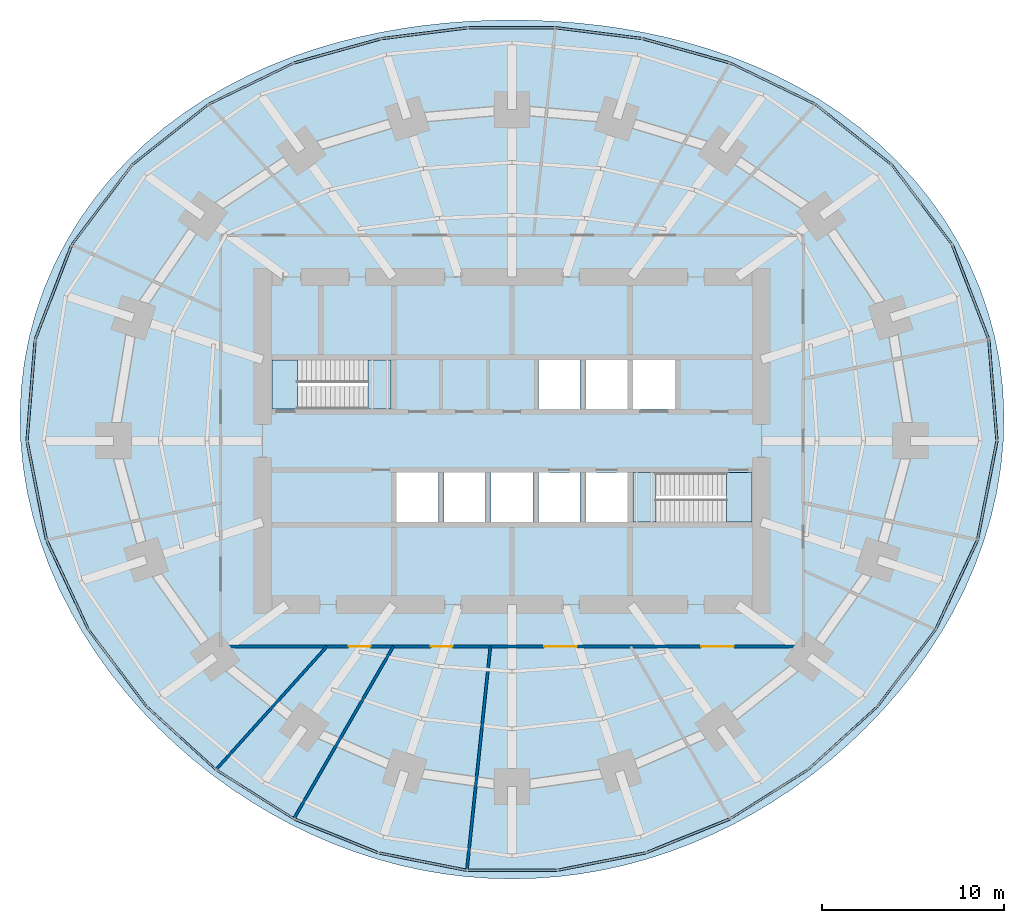
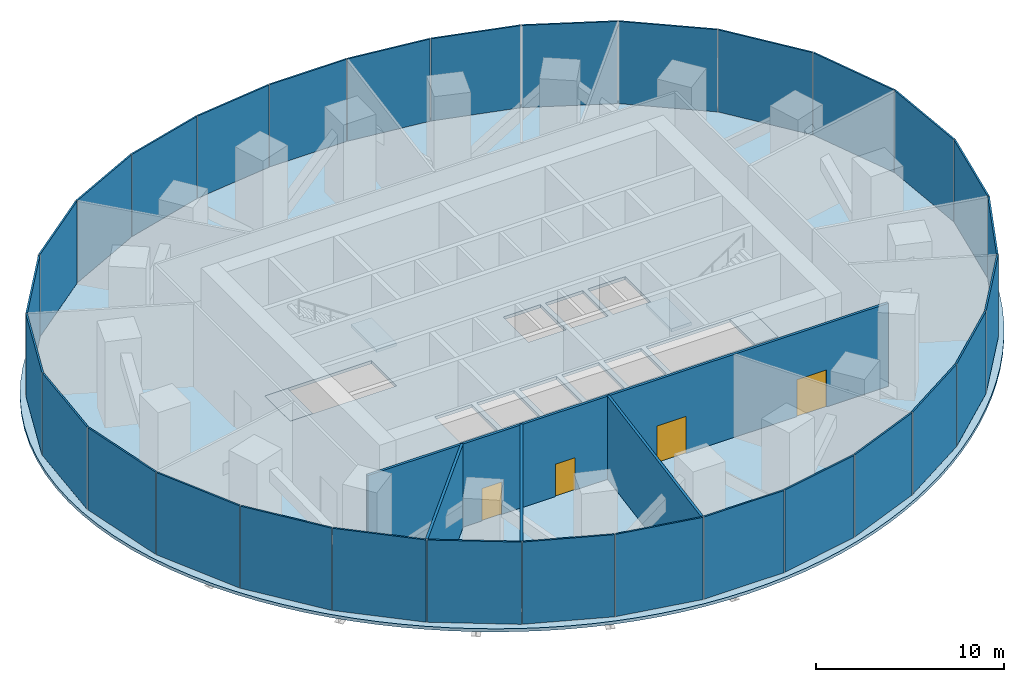
# One storey, part 10 of 13: 30 plates, 5 slabs, 4 doors, 4 walls, 4 openings, 8 elements without a shape of their own.
"""IFC4 building model written with IfcOpenShell, lengths in metres."""

from ifc_helpers import new_model, si_unit, direction, frame, frame_2d, origin, origin_2d, place, context, subcontext, project, spatial, polyline, rectangle, outline, extrude, material, layer, layer_set, type_object, element, fill, aggregate, save


model = new_model("IFC4")

# Units and contexts
model_context = context("Model", 3, precision=1e-05, world=origin(), true_north=direction((0.0, 1.0)))
body_context = subcontext(model_context, "Body", "Model", "MODEL_VIEW")
ifc_project = project(units=[si_unit("LENGTHUNIT", "METRE"), si_unit("AREAUNIT", "SQUARE_METRE"), si_unit("VOLUMEUNIT", "CUBIC_METRE"), si_unit("PLANEANGLEUNIT", "RADIAN"), si_unit("MASSUNIT", "GRAM", prefix="KILO")], contexts=[model_context])

# Site, building, storey
site_placement = place(None, origin())
site = spatial("IfcSite", under=ifc_project, at=site_placement, CompositionType="ELEMENT")
building_placement = place(site_placement, origin())
building = spatial("IfcBuilding", under=site, at=building_placement, Name="Marramba Exchange Tower", CompositionType="ELEMENT")
storey_placement = place(building_placement, frame((0.0, 0.0, 86.800048828125)))
storey = spatial("IfcBuildingStorey", under=building, at=storey_placement, Name="L20", CompositionType="ELEMENT", Elevation=86.800048828125)

# Slab
ifc_material_1 = material(Name="Concrete N40", Category="concrete")
ifc_layer_1 = layer(ifc_material_1, 0.199951171875)
ifc_layer_set_1 = layer_set([ifc_layer_1], Name="Floor slab 200")
slab_type_1 = type_object("IfcSlabType", Name="Floor slab 200", PredefinedType="FLOOR", material=ifc_layer_set_1)
slab_1_placement = place(storey_placement, frame((0.0, 0.0, -0.199951171875)))
element("IfcSlab", 1, at=slab_1_placement, inside=storey, type_object=slab_type_1, Name="Floor slab L20", PredefinedType="FLOOR", context=body_context, shape_type="SweptSolid", body=[
    extrude(outline(polyline([(27.0, 0.0), (27.035888671875, 1.4169921875), (26.97265625, 2.8349609375), (26.80859375, 4.24609375), (26.5439453125, 5.64208984375), (26.179443359375, 7.0146484375), (25.717529296875, 8.356201171875), (25.16162109375, 9.65869140625), (24.516357421875, 10.915283203125), (23.786865234375, 12.1201171875), (22.9794921875, 13.267333984375), (22.10107421875, 14.3525390625), (21.158447265625, 15.37255859375), (20.159423828125, 16.32470703125), (19.11083984375, 17.20751953125), (18.020263671875, 18.020263671875), (16.89453125, 18.763427734375), (15.740478515625, 19.437744140625), (14.563720703125, 20.04541015625), (13.3701171875, 20.588134765625), (12.164306640625, 21.069091796875), (10.9501953125, 21.4912109375), (9.7314453125, 21.857421875), (8.5107421875, 22.1708984375), (7.289794921875, 22.435302734375), (6.06982421875, 22.6533203125), (4.85205078125, 22.827392578125), (3.636474609375, 22.96044921875), (2.423095703125, 23.053955078125), (1.211181640625, 23.109619140625), (0.0, 23.1279296875), (-1.211181640625, 23.109619140625), (-2.423095703125, 23.053955078125), (-3.636474609375, 22.96044921875), (-4.85205078125, 22.827392578125), (-6.06982421875, 22.6533203125), (-7.289794921875, 22.435302734375), (-8.5107421875, 22.1708984375), (-9.7314453125, 21.857421875), (-10.9501953125, 21.4912109375), (-12.164306640625, 21.069091796875), (-13.3701171875, 20.588134765625), (-14.563720703125, 20.04541015625), (-15.740478515625, 19.437744140625), (-16.89453125, 18.763427734375), (-18.020263671875, 18.020263671875), (-19.11083984375, 17.20751953125), (-20.159423828125, 16.32470703125), (-21.158447265625, 15.37255859375), (-22.10107421875, 14.3525390625), (-22.9794921875, 13.267333984375), (-23.786865234375, 12.1201171875), (-24.516357421875, 10.915283203125), (-25.16162109375, 9.65869140625), (-25.717529296875, 8.356201171875), (-26.179443359375, 7.0146484375), (-26.5439453125, 5.64208984375), (-26.80859375, 4.24609375), (-26.97265625, 2.8349609375), (-27.035888671875, 1.4169921875), (-27.0, 0.0), (-26.8671875, -1.407958984375), (-26.64111328125, -2.800048828125), (-26.326171875, -4.169677734375), (-25.927001953125, -5.510986328125), (-25.44921875, -6.819091796875), (-24.8984375, -8.090087890625), (-24.280517578125, -9.320556640625), (-23.60107421875, -10.5078125), (-22.865234375, -11.650390625), (-22.078369140625, -12.7470703125), (-21.244873046875, -13.796630859375), (-20.36865234375, -14.798583984375), (-19.453369140625, -15.753173828125), (-18.502197265625, -16.659423828125), (-17.517578125, -17.517578125), (-16.501953125, -18.327392578125), (-15.457275390625, -19.088134765625), (-14.385009765625, -19.799072265625), (-13.286865234375, -20.459716796875), (-12.164306640625, -21.069091796875), (-11.01904296875, -21.6259765625), (-9.8525390625, -22.129150390625), (-8.66650390625, -22.577392578125), (-7.463134765625, -22.968994140625), (-6.244140625, -23.30322265625), (-5.01171875, -23.578369140625), (-3.7685546875, -23.793701171875), (-2.51708984375, -23.947998046875), (-1.260009765625, -24.041015625), (0.0, -24.072021484375), (1.260009765625, -24.041015625), (2.51708984375, -23.947998046875), (3.7685546875, -23.793701171875), (5.01171875, -23.578369140625), (6.244140625, -23.30322265625), (7.463134765625, -22.968994140625), (8.66650390625, -22.577392578125), (9.8525390625, -22.129150390625), (11.01904296875, -21.6259765625), (12.164306640625, -21.069091796875), (13.286865234375, -20.459716796875), (14.385009765625, -19.799072265625), (15.457275390625, -19.088134765625), (16.501953125, -18.327392578125), (17.517578125, -17.517578125), (18.502197265625, -16.659423828125), (19.453369140625, -15.753173828125), (20.36865234375, -14.798583984375), (21.244873046875, -13.796630859375), (22.078369140625, -12.7470703125), (22.865234375, -11.650390625), (23.60107421875, -10.5078125), (24.280517578125, -9.320556640625), (24.8984375, -8.090087890625), (25.44921875, -6.819091796875), (25.927001953125, -5.510986328125), (26.326171875, -4.169677734375), (26.64111328125, -2.800048828125), (26.8671875, -1.407958984375), (27.0, 0.0)]), holes=[polyline([(1.449951171875, 1.75), (3.75, 1.75), (3.75, 4.449951171875), (1.449951171875, 4.449951171875), (1.449951171875, 1.75)]), polyline([(4.050048828125, 1.75), (6.35009765625, 1.75), (6.35009765625, 4.449951171875), (4.050048828125, 4.449951171875), (4.050048828125, 1.75)]), polyline([(-6.35009765625, -4.449951171875), (-4.050048828125, -4.449951171875), (-4.050048828125, -1.75), (-6.35009765625, -1.75), (-6.35009765625, -4.449951171875)]), polyline([(-3.75, -4.449951171875), (-1.449951171875, -4.449951171875), (-1.449951171875, -1.75), (-3.75, -1.75), (-3.75, -4.449951171875)]), polyline([(-1.14990234375, -4.449951171875), (1.14990234375, -4.449951171875), (1.14990234375, -1.75), (-1.14990234375, -1.75), (-1.14990234375, -4.449951171875)]), polyline([(1.449951171875, -4.449951171875), (3.75, -4.449951171875), (3.75, -1.75), (1.449951171875, -1.75), (1.449951171875, -4.449951171875)]), polyline([(4.050048828125, -4.449951171875), (6.35009765625, -4.449951171875), (6.35009765625, -1.75), (4.050048828125, -1.75), (4.050048828125, -4.449951171875)]), polyline([(6.64990234375, 1.75), (8.949951171875, 1.75), (8.949951171875, 4.449951171875), (6.64990234375, 4.449951171875), (6.64990234375, 1.75)]), polyline([(-13.199951171875, 1.75), (-6.64990234375, 1.75), (-6.64990234375, 4.449951171875), (-13.199951171875, 4.449951171875), (-13.199951171875, 1.75)]), polyline([(6.64990234375, -4.449951171875), (13.199951171875, -4.449951171875), (13.199951171875, -1.75), (6.64990234375, -1.75), (6.64990234375, -4.449951171875)])]), origin(), (0.0, 0.0, 1.0), 0.199951171875),
])

# Curtain wall, plates
ifc_material_2 = material(Name="Aluminium framing, bronze anodised", Category="aluminium")
curtain_wall_type = type_object("IfcCurtainWallType", Name="Plant floor louvred curtain wall", PredefinedType="USERDEFINED", material=ifc_material_2)
curtain_wall_1_placement = place(storey_placement, origin())
curtain_wall_1 = element("IfcCurtainWall", 2, at=curtain_wall_1_placement, inside=storey, type_object=curtain_wall_type, Name="Curtain wall CW6 L20 F01-F05", ObjectType="RIBBON CURTAIN WALL", PredefinedType="USERDEFINED")
ifc_material_3 = material(Name="Aluminium louvre bank 100 deep, bronze anodised", Category="aluminium")
ifc_layer_2 = layer(ifc_material_3, 0.10009765625)
ifc_layer_set_2 = layer_set([ifc_layer_2], Name="Plant floor louvred curtain wall panel")
plate_type = type_object("IfcPlateType", Name="Plant floor louvred curtain wall panel", PredefinedType="CURTAIN_PANEL", material=ifc_layer_set_2)
plate_1_placement = place(storey_placement, frame((26.42333984375, 2.814453125, 0.06005859375), z_axis=(0.0, 0.0, 1.0), x_axis=(-0.080275225953, 0.996772736434, 0.0)))
plate_1 = element("IfcPlate", 3, at=plate_1_placement, type_object=plate_type, Name="CW6 vision panel", PredefinedType="CURTAIN_PANEL", context=body_context, shape_type="SweptSolid", body=[
    extrude(rectangle(XDim=5.52734375, YDim=0.10009765625, at=origin_2d()), origin(), (0.0, 0.0, 1.0), 5.340087890625),
])
plate_2_placement = place(storey_placement, frame((25.188232421875, 8.19921875, 0.06005859375), z_axis=(0.0, 0.0, 1.0), x_axis=(-0.359525510698, 0.933135256626, 0.0)))
plate_2 = element("IfcPlate", 4, at=plate_2_placement, type_object=plate_type, Name="CW6 vision panel", PredefinedType="CURTAIN_PANEL", context=body_context, shape_type="SweptSolid", body=[
    extrude(rectangle(XDim=5.5166015625, YDim=0.10009765625, at=origin_2d()), origin(), (0.0, 0.0, 1.0), 5.340087890625),
])
plate_3_placement = place(storey_placement, frame((22.517822265625, 12.993896484375, 0.06005859375), z_axis=(0.0, 0.0, 1.0), x_axis=(-0.602989765036, 0.797748922445, 0.0)))
plate_3 = element("IfcPlate", 5, at=plate_3_placement, type_object=plate_type, Name="CW6 vision panel", PredefinedType="CURTAIN_PANEL", context=body_context, shape_type="SweptSolid", body=[
    extrude(rectangle(XDim=5.44775390625, YDim=0.10009765625, at=origin_2d()), origin(), (0.0, 0.0, 1.0), 5.340087890625),
])
plate_4_placement = place(storey_placement, frame((18.744384765625, 16.853759765625, 0.06005859375), z_axis=(0.0, 0.0, 1.0), x_axis=(-0.784087949432, 0.620649730166, 0.0)))
plate_4 = element("IfcPlate", 6, at=plate_4_placement, type_object=plate_type, Name="CW6 vision panel", PredefinedType="CURTAIN_PANEL", context=body_context, shape_type="SweptSolid", body=[
    extrude(rectangle(XDim=5.315673828125, YDim=0.10009765625, at=origin_2d()), origin(), (0.0, 0.0, 1.0), 5.340087890625),
])
plate_5_placement = place(storey_placement, frame((14.2978515625, 19.647705078125, 0.06005859375), z_axis=(0.0, 0.0, 1.0), x_axis=(-0.899963433508, 0.43596538664, 0.0)))
plate_5 = element("IfcPlate", 7, at=plate_5_placement, type_object=plate_type, Name="CW6 vision panel", PredefinedType="CURTAIN_PANEL", context=body_context, shape_type="SweptSolid", body=[
    extrude(rectangle(XDim=5.13037109375, YDim=0.10009765625, at=origin_2d()), origin(), (0.0, 0.0, 1.0), 5.340087890625),
])
aggregate(curtain_wall_1, [plate_1, plate_2, plate_3, plate_4, plate_5])

curtain_wall_2_placement = place(storey_placement, origin())
curtain_wall_2 = element("IfcCurtainWall", 8, at=curtain_wall_2_placement, inside=storey, type_object=curtain_wall_type, Name="Curtain wall CW6 L20 F06-F10", ObjectType="RIBBON CURTAIN WALL", PredefinedType="USERDEFINED")
plate_6_placement = place(storey_placement, frame((9.556396484375, 21.4423828125, 0.06005859375), z_axis=(0.0, 0.0, 1.0), x_axis=(-0.963472096649, 0.267808735815, 0.0)))
plate_6 = element("IfcPlate", 9, at=plate_6_placement, type_object=plate_type, Name="CW6 vision panel", PredefinedType="CURTAIN_PANEL", context=body_context, shape_type="SweptSolid", body=[
    extrude(rectangle(XDim=4.929931640625, YDim=0.10009765625, at=origin_2d()), origin(), (0.0, 0.0, 1.0), 5.340087890625),
])
plate_7_placement = place(storey_placement, frame((4.754150390625, 22.407958984375, 0.06005859375), z_axis=(0.0, 0.0, 1.0), x_axis=(-0.992172768738, 0.124872723099, 0.0)))
plate_7 = element("IfcPlate", 10, at=plate_7_placement, type_object=plate_type, Name="CW6 vision panel", PredefinedType="CURTAIN_PANEL", context=body_context, shape_type="SweptSolid", body=[
    extrude(rectangle(XDim=4.77294921875, YDim=0.10009765625, at=origin_2d()), origin(), (0.0, 0.0, 1.0), 5.340087890625),
])
plate_8_placement = place(storey_placement, frame((-0.030029296875, 22.7060546875, 0.06005859375), z_axis=(0.0, 0.0, 1.0), x_axis=(-1.0, 0.0, 0.0)))
plate_8 = element("IfcPlate", 11, at=plate_8_placement, type_object=plate_type, Name="CW6 vision panel", PredefinedType="CURTAIN_PANEL", context=body_context, shape_type="SweptSolid", body=[
    extrude(rectangle(XDim=4.712890625, YDim=0.10009765625, at=origin_2d()), origin(), (0.0, 0.0, 1.0), 5.340087890625),
])
plate_9_placement = place(storey_placement, frame((-4.813720703125, 22.400390625, 0.06005859375), z_axis=(0.0, 0.0, 1.0), x_axis=(-0.992172768738, -0.124872723099, 0.0)))
plate_9 = element("IfcPlate", 12, at=plate_9_placement, type_object=plate_type, Name="CW6 vision panel", PredefinedType="CURTAIN_PANEL", context=body_context, shape_type="SweptSolid", body=[
    extrude(rectangle(XDim=4.77294921875, YDim=0.10009765625, at=origin_2d()), origin(), (0.0, 0.0, 1.0), 5.340087890625),
])
plate_10_placement = place(storey_placement, frame((-9.6142578125, 21.42626953125, 0.06005859375), z_axis=(0.0, 0.0, 1.0), x_axis=(-0.963472096649, -0.267808735815, 0.0)))
plate_10 = element("IfcPlate", 13, at=plate_10_placement, type_object=plate_type, Name="CW6 vision panel", PredefinedType="CURTAIN_PANEL", context=body_context, shape_type="SweptSolid", body=[
    extrude(rectangle(XDim=4.929931640625, YDim=0.10009765625, at=origin_2d()), origin(), (0.0, 0.0, 1.0), 5.340087890625),
])
aggregate(curtain_wall_2, [plate_6, plate_7, plate_8, plate_9, plate_10])

curtain_wall_3_placement = place(storey_placement, origin())
curtain_wall_3 = element("IfcCurtainWall", 14, at=curtain_wall_3_placement, inside=storey, type_object=curtain_wall_type, Name="Curtain wall CW6 L20 F11-F15", ObjectType="RIBBON CURTAIN WALL", PredefinedType="USERDEFINED")
plate_11_placement = place(storey_placement, frame((-14.351806640625, 19.62158203125, 0.06005859375), z_axis=(0.0, 0.0, 1.0), x_axis=(-0.899963433508, -0.43596538664, 0.0)))
plate_11 = element("IfcPlate", 15, at=plate_11_placement, type_object=plate_type, Name="CW6 vision panel", PredefinedType="CURTAIN_PANEL", context=body_context, shape_type="SweptSolid", body=[
    extrude(rectangle(XDim=5.13037109375, YDim=0.10009765625, at=origin_2d()), origin(), (0.0, 0.0, 1.0), 5.340087890625),
])
plate_12_placement = place(storey_placement, frame((-18.79150390625, 16.81640625, 0.06005859375), z_axis=(0.0, 0.0, 1.0), x_axis=(-0.784087949432, -0.620649730166, 0.0)))
plate_12 = element("IfcPlate", 16, at=plate_12_placement, type_object=plate_type, Name="CW6 vision panel", PredefinedType="CURTAIN_PANEL", context=body_context, shape_type="SweptSolid", body=[
    extrude(rectangle(XDim=5.315673828125, YDim=0.10009765625, at=origin_2d()), origin(), (0.0, 0.0, 1.0), 5.340087890625),
])
plate_13_placement = place(storey_placement, frame((-22.553955078125, 12.946044921875, 0.06005859375), z_axis=(0.0, 0.0, 1.0), x_axis=(-0.602989765036, -0.797748922445, 0.0)))
plate_13 = element("IfcPlate", 17, at=plate_13_placement, type_object=plate_type, Name="CW6 vision panel", PredefinedType="CURTAIN_PANEL", context=body_context, shape_type="SweptSolid", body=[
    extrude(rectangle(XDim=5.44775390625, YDim=0.10009765625, at=origin_2d()), origin(), (0.0, 0.0, 1.0), 5.340087890625),
])
plate_14_placement = place(storey_placement, frame((-25.209716796875, 8.14306640625, 0.06005859375), z_axis=(0.0, 0.0, 1.0), x_axis=(-0.359525510698, -0.933135256626, 0.0)))
plate_14 = element("IfcPlate", 18, at=plate_14_placement, type_object=plate_type, Name="CW6 vision panel", PredefinedType="CURTAIN_PANEL", context=body_context, shape_type="SweptSolid", body=[
    extrude(rectangle(XDim=5.5166015625, YDim=0.10009765625, at=origin_2d()), origin(), (0.0, 0.0, 1.0), 5.340087890625),
])
plate_15_placement = place(storey_placement, frame((-26.42822265625, 2.754638671875, 0.06005859375), z_axis=(0.0, 0.0, 1.0), x_axis=(-0.080275225953, -0.996772736434, 0.0)))
plate_15 = element("IfcPlate", 19, at=plate_15_placement, type_object=plate_type, Name="CW6 vision panel", PredefinedType="CURTAIN_PANEL", context=body_context, shape_type="SweptSolid", body=[
    extrude(rectangle(XDim=5.52734375, YDim=0.10009765625, at=origin_2d()), origin(), (0.0, 0.0, 1.0), 5.340087890625),
])
aggregate(curtain_wall_3, [plate_11, plate_12, plate_13, plate_14, plate_15])

curtain_wall_4_placement = place(storey_placement, origin())
curtain_wall_4 = element("IfcCurtainWall", 20, at=curtain_wall_4_placement, inside=storey, type_object=curtain_wall_type, Name="Curtain wall CW6 L20 F16-F20", ObjectType="RIBBON CURTAIN WALL", PredefinedType="USERDEFINED")
plate_16_placement = place(storey_placement, frame((-26.111572265625, -2.74853515625, 0.06005859375), z_axis=(0.0, 0.0, 1.0), x_axis=(0.1922485756, -0.981346261612, 0.0)))
plate_16 = element("IfcPlate", 21, at=plate_16_placement, type_object=plate_type, Name="CW6 vision panel", PredefinedType="CURTAIN_PANEL", context=body_context, shape_type="SweptSolid", body=[
    extrude(rectangle(XDim=5.4814453125, YDim=0.10009765625, at=origin_2d()), origin(), (0.0, 0.0, 1.0), 5.340087890625),
])
plate_17_placement = place(storey_placement, frame((-24.420166015625, -7.928955078125, 0.06005859375), z_axis=(0.0, 0.0, 1.0), x_axis=(0.423477206492, -0.905906758768, 0.0)))
plate_17 = element("IfcPlate", 22, at=plate_17_placement, type_object=plate_type, Name="CW6 vision panel", PredefinedType="CURTAIN_PANEL", context=body_context, shape_type="SweptSolid", body=[
    extrude(rectangle(XDim=5.379150390625, YDim=0.10009765625, at=origin_2d()), origin(), (0.0, 0.0, 1.0), 5.340087890625),
])
plate_18_placement = place(storey_placement, frame((-21.665283203125, -12.503173828125, 0.06005859375), z_axis=(0.0, 0.0, 1.0), x_axis=(0.603040473588, -0.797710591138, 0.0)))
plate_18 = element("IfcPlate", 23, at=plate_18_placement, type_object=plate_type, Name="CW6 vision panel", PredefinedType="CURTAIN_PANEL", context=body_context, shape_type="SweptSolid", body=[
    extrude(rectangle(XDim=5.239501953125, YDim=0.10009765625, at=origin_2d()), origin(), (0.0, 0.0, 1.0), 5.340087890625),
])
plate_19_placement = place(storey_placement, frame((-18.154541015625, -16.350341796875, 0.06005859375), z_axis=(0.0, 0.0, 1.0), x_axis=(0.739589581463, -0.673058133441, 0.0)))
plate_19 = element("IfcPlate", 24, at=plate_19_placement, type_object=plate_type, Name="CW6 vision panel", PredefinedType="CURTAIN_PANEL", context=body_context, shape_type="SweptSolid", body=[
    extrude(rectangle(XDim=5.101806640625, YDim=0.10009765625, at=origin_2d()), origin(), (0.0, 0.0, 1.0), 5.340087890625),
])
plate_20_placement = place(storey_placement, frame((-14.103271484375, -19.4326171875, 0.06005859375), z_axis=(0.0, 0.0, 1.0), x_axis=(0.845790826298, -0.533514646612, 0.0)))
plate_20 = element("IfcPlate", 25, at=plate_20_placement, type_object=plate_type, Name="CW6 vision panel", PredefinedType="CURTAIN_PANEL", context=body_context, shape_type="SweptSolid", body=[
    extrude(rectangle(XDim=4.99853515625, YDim=0.10009765625, at=origin_2d()), origin(), (0.0, 0.0, 1.0), 5.340087890625),
])
aggregate(curtain_wall_4, [plate_16, plate_17, plate_18, plate_19, plate_20])

curtain_wall_5_placement = place(storey_placement, origin())
curtain_wall_5 = element("IfcCurtainWall", 26, at=curtain_wall_5_placement, inside=storey, type_object=curtain_wall_type, Name="Curtain wall CW6 L20 F21-F25", ObjectType="RIBBON CURTAIN WALL", PredefinedType="USERDEFINED")
plate_21_placement = place(storey_placement, frame((-9.644287109375, -21.71240234375, 0.06005859375), z_axis=(0.0, 0.0, 1.0), x_axis=(0.927340673283, -0.374218219325, 0.0)))
plate_21 = element("IfcPlate", 27, at=plate_21_placement, type_object=plate_type, Name="CW6 vision panel", PredefinedType="CURTAIN_PANEL", context=body_context, shape_type="SweptSolid", body=[
    extrude(rectangle(XDim=4.9375, YDim=0.10009765625, at=origin_2d()), origin(), (0.0, 0.0, 1.0), 5.340087890625),
])
plate_22_placement = place(storey_placement, frame((-4.88818359375, -23.1240234375, 0.06005859375), z_axis=(0.0, 0.0, 1.0), x_axis=(0.98100920064, -0.193961202977, 0.0)))
plate_22 = element("IfcPlate", 28, at=plate_22_placement, type_object=plate_type, Name="CW6 vision panel", PredefinedType="CURTAIN_PANEL", context=body_context, shape_type="SweptSolid", body=[
    extrude(rectangle(XDim=4.908935546875, YDim=0.10009765625, at=origin_2d()), origin(), (0.0, 0.0, 1.0), 5.340087890625),
])
plate_23_placement = place(storey_placement, frame((0.030029296875, -23.599853515625, 0.06005859375), z_axis=(0.0, 0.0, 1.0), x_axis=(1.0, 0.0, 0.0)))
plate_23 = element("IfcPlate", 29, at=plate_23_placement, type_object=plate_type, Name="CW6 vision panel", PredefinedType="CURTAIN_PANEL", context=body_context, shape_type="SweptSolid", body=[
    extrude(rectangle(XDim=4.90087890625, YDim=0.10009765625, at=origin_2d()), origin(), (0.0, 0.0, 1.0), 5.340087890625),
])
plate_24_placement = place(storey_placement, frame((4.947021484375, -23.1123046875, 0.06005859375), z_axis=(0.0, 0.0, 1.0), x_axis=(0.98100920064, 0.193961202977, 0.0)))
plate_24 = element("IfcPlate", 30, at=plate_24_placement, type_object=plate_type, Name="CW6 vision panel", PredefinedType="CURTAIN_PANEL", context=body_context, shape_type="SweptSolid", body=[
    extrude(rectangle(XDim=4.908935546875, YDim=0.10009765625, at=origin_2d()), origin(), (0.0, 0.0, 1.0), 5.340087890625),
])
plate_25_placement = place(storey_placement, frame((9.699951171875, -21.68994140625, 0.06005859375), z_axis=(0.0, 0.0, 1.0), x_axis=(0.927340673283, 0.374218219325, 0.0)))
plate_25 = element("IfcPlate", 31, at=plate_25_placement, type_object=plate_type, Name="CW6 vision panel", PredefinedType="CURTAIN_PANEL", context=body_context, shape_type="SweptSolid", body=[
    extrude(rectangle(XDim=4.9375, YDim=0.10009765625, at=origin_2d()), origin(), (0.0, 0.0, 1.0), 5.340087890625),
])
aggregate(curtain_wall_5, [plate_21, plate_22, plate_23, plate_24, plate_25])

curtain_wall_6_placement = place(storey_placement, origin())
curtain_wall_6 = element("IfcCurtainWall", 32, at=curtain_wall_6_placement, inside=storey, type_object=curtain_wall_type, Name="Curtain wall CW6 L20 F26-F30", ObjectType="RIBBON CURTAIN WALL", PredefinedType="USERDEFINED")
plate_26_placement = place(storey_placement, frame((14.15380859375, -19.400634765625, 0.06005859375), z_axis=(0.0, 0.0, 1.0), x_axis=(0.845790826298, 0.533514646612, 0.0)))
plate_26 = element("IfcPlate", 33, at=plate_26_placement, type_object=plate_type, Name="CW6 vision panel", PredefinedType="CURTAIN_PANEL", context=body_context, shape_type="SweptSolid", body=[
    extrude(rectangle(XDim=4.99853515625, YDim=0.10009765625, at=origin_2d()), origin(), (0.0, 0.0, 1.0), 5.340087890625),
])
plate_27_placement = place(storey_placement, frame((18.19873046875, -16.309814453125, 0.06005859375), z_axis=(0.0, 0.0, 1.0), x_axis=(0.739589581463, 0.673058133441, 0.0)))
plate_27 = element("IfcPlate", 34, at=plate_27_placement, type_object=plate_type, Name="CW6 vision panel", PredefinedType="CURTAIN_PANEL", context=body_context, shape_type="SweptSolid", body=[
    extrude(rectangle(XDim=5.101806640625, YDim=0.10009765625, at=origin_2d()), origin(), (0.0, 0.0, 1.0), 5.340087890625),
])
plate_28_placement = place(storey_placement, frame((21.701416015625, -12.455322265625, 0.06005859375), z_axis=(0.0, 0.0, 1.0), x_axis=(0.603040473588, 0.797710591138, 0.0)))
plate_28 = element("IfcPlate", 35, at=plate_28_placement, type_object=plate_type, Name="CW6 vision panel", PredefinedType="CURTAIN_PANEL", context=body_context, shape_type="SweptSolid", body=[
    extrude(rectangle(XDim=5.239501953125, YDim=0.10009765625, at=origin_2d()), origin(), (0.0, 0.0, 1.0), 5.340087890625),
])
plate_29_placement = place(storey_placement, frame((24.44580078125, -7.874755859375, 0.06005859375), z_axis=(0.0, 0.0, 1.0), x_axis=(0.423477206492, 0.905906758768, 0.0)))
plate_29 = element("IfcPlate", 36, at=plate_29_placement, type_object=plate_type, Name="CW6 vision panel", PredefinedType="CURTAIN_PANEL", context=body_context, shape_type="SweptSolid", body=[
    extrude(rectangle(XDim=5.379150390625, YDim=0.10009765625, at=origin_2d()), origin(), (0.0, 0.0, 1.0), 5.340087890625),
])
plate_30_placement = place(storey_placement, frame((26.123046875, -2.689697265625, 0.06005859375), z_axis=(0.0, 0.0, 1.0), x_axis=(0.1922485756, 0.981346261612, 0.0)))
plate_30 = element("IfcPlate", 37, at=plate_30_placement, type_object=plate_type, Name="CW6 vision panel", PredefinedType="CURTAIN_PANEL", context=body_context, shape_type="SweptSolid", body=[
    extrude(rectangle(XDim=5.4814453125, YDim=0.10009765625, at=origin_2d()), origin(), (0.0, 0.0, 1.0), 5.340087890625),
])
aggregate(curtain_wall_6, [plate_26, plate_27, plate_28, plate_29, plate_30])

# Stair, slabs
ifc_material_4 = material(Name="Concrete N40 (40 MPa)", Category="concrete")
stair_type_1 = type_object("IfcStairType", Name="Exit stair ST1 5600 x 1250", PredefinedType="HALF_TURN_STAIR", material=ifc_material_4)
stair_1_placement = place(storey_placement, origin())
stair_1 = element("IfcStair", 38, at=stair_1_placement, inside=storey, type_object=stair_type_1, Name="Exit stair ST1 L20", PredefinedType="HALF_TURN_STAIR")
ifc_layer_3 = layer(ifc_material_4, 0.199951171875)
ifc_layer_set_3 = layer_set([ifc_layer_3], Name="Stair landing 200")
slab_type_2 = type_object("IfcSlabType", Name="Stair landing 200", PredefinedType="LANDING", material=ifc_layer_set_3)
slab_2_placement = place(storey_placement, frame((0.0, 0.0, -0.199951171875)))
slab_2 = element("IfcSlab", 39, at=slab_2_placement, type_object=slab_type_2, Name="ST1 landing 1", PredefinedType="LANDING", context=body_context, shape_type="SweptSolid", body=[
    extrude(outline(polyline([(-13.199951171875, 1.75), (-11.800048828125, 1.75), (-11.800048828125, 4.449951171875), (-13.199951171875, 4.449951171875), (-13.199951171875, 1.75)])), origin(), (0.0, 0.0, 1.0), 0.199951171875),
])
slab_3_placement = place(storey_placement, frame((0.0, 0.0, 2.599853515625)))
slab_3 = element("IfcSlab", 40, at=slab_3_placement, type_object=slab_type_2, Name="ST1 landing 2", PredefinedType="LANDING", context=body_context, shape_type="SweptSolid", body=[
    extrude(outline(polyline([(-7.89990234375, 1.75), (-6.64990234375, 1.75), (-6.64990234375, 4.449951171875), (-7.89990234375, 4.449951171875), (-7.89990234375, 1.75)])), origin(), (0.0, 0.0, 1.0), 0.2001953125),
])
aggregate(stair_1, [slab_2, slab_3])

stair_type_2 = type_object("IfcStairType", Name="Exit stair ST2 5600 x 1250", PredefinedType="HALF_TURN_STAIR", material=ifc_material_4)
stair_2_placement = place(storey_placement, origin())
stair_2 = element("IfcStair", 41, at=stair_2_placement, inside=storey, type_object=stair_type_2, Name="Exit stair ST2 L20", PredefinedType="HALF_TURN_STAIR")
slab_4_placement = place(storey_placement, frame((0.0, 0.0, -0.199951171875)))
slab_4 = element("IfcSlab", 42, at=slab_4_placement, type_object=slab_type_2, Name="ST2 landing 1", PredefinedType="LANDING", context=body_context, shape_type="SweptSolid", body=[
    extrude(outline(polyline([(11.800048828125, -4.449951171875), (13.199951171875, -4.449951171875), (13.199951171875, -1.75), (11.800048828125, -1.75), (11.800048828125, -4.449951171875)])), origin(), (0.0, 0.0, 1.0), 0.199951171875),
])
slab_5_placement = place(storey_placement, frame((0.0, 0.0, 2.599853515625)))
slab_5 = element("IfcSlab", 43, at=slab_5_placement, type_object=slab_type_2, Name="ST2 landing 2", PredefinedType="LANDING", context=body_context, shape_type="SweptSolid", body=[
    extrude(outline(polyline([(6.64990234375, -4.449951171875), (7.89990234375, -4.449951171875), (7.89990234375, -1.75), (6.64990234375, -1.75), (6.64990234375, -4.449951171875)])), origin(), (0.0, 0.0, 1.0), 0.2001953125),
])
aggregate(stair_2, [slab_4, slab_5])

# Walls
ifc_material_5 = material(Name="Fire-rated plasterboard on steel studs, acoustic insulation", Category="steel")
ifc_layer_4 = layer(ifc_material_5, 0.14990234375)
ifc_layer_set_4 = layer_set([ifc_layer_4], Name="Tenancy wall 150")
wall_type = type_object("IfcWallType", Name="Tenancy wall 150", PredefinedType="PARTITIONING", material=ifc_layer_set_4)
wall_1_placement = place(storey_placement, frame((-10.174560546875, -11.300048828125, 0.0), z_axis=(0.0, 0.0, 1.0), x_axis=(-0.669136564673, -0.743139460544, 0.0)))
element("IfcWall", 44, at=wall_1_placement, inside=storey, type_object=wall_type, Name="Tenancy wall L20 02", PredefinedType="PARTITIONING", context=body_context, shape_type="SweptSolid", body=[
    extrude(rectangle(XDim=9.0263671875, YDim=0.14990234375, at=frame_2d((4.51318359375, 0.0))), origin(), (0.0, 0.0, 1.0), 5.39990234375),
])
wall_2_placement = place(storey_placement, frame((-6.524169921875, -11.300048828125, 0.0), z_axis=(0.0, 0.0, 1.0), x_axis=(-0.499989292232, -0.866031585829, 0.0)))
element("IfcWall", 45, at=wall_2_placement, inside=storey, type_object=wall_type, Name="Tenancy wall L20 03", PredefinedType="PARTITIONING", context=body_context, shape_type="SweptSolid", body=[
    extrude(rectangle(XDim=10.850341796875, YDim=0.14990234375, at=frame_2d((5.42529296875, 0.0))), origin(), (0.0, 0.0, 1.0), 5.39990234375),
])
wall_3_placement = place(storey_placement, frame((-1.187744140625, -11.300048828125, 0.0), z_axis=(0.0, 0.0, 1.0), x_axis=(-0.104528610728, -0.99452187987, 0.0)))
element("IfcWall", 46, at=wall_3_placement, inside=storey, type_object=wall_type, Name="Tenancy wall L20 04", PredefinedType="PARTITIONING", context=body_context, shape_type="SweptSolid", body=[
    extrude(rectangle(XDim=12.287841796875, YDim=0.14990234375, at=frame_2d((6.14404296875, 0.0))), origin(), (0.0, 0.0, 1.0), 5.39990234375),
])

# Wall, openings, doors
wall_4_placement = place(storey_placement, frame((-16.0, -11.300048828125, 0.0), z_axis=(0.0, 0.0, 1.0), x_axis=(1.0, 0.0, 0.0)))
wall_4 = element("IfcWall", 47, at=wall_4_placement, inside=storey, type_object=wall_type, Name="Tenancy wall L20 05", PredefinedType="PARTITIONING", context=body_context, shape_type="SweptSolid", body=[
    extrude(rectangle(XDim=32.0, YDim=0.14990234375, at=frame_2d((16.0, 0.0))), origin(), (0.0, 0.0, 1.0), 5.39990234375),
])
opening_1_placement = place(wall_4_placement, frame((7.02587890625, 0.0, 0.0)))
opening_1 = element("IfcOpeningElement", 48, at=opening_1_placement, cuts=wall_4, Name="Opening D16", PredefinedType="OPENING", context=body_context, shape_type="SweptSolid", body=[
    extrude(rectangle(XDim=1.199951171875, YDim=2.10009765625, at=frame_2d((0.60009765625, 1.050048828125))), frame((0.0, 0.0849609375, 0.0), z_axis=(0.0, -1.0, 0.0), x_axis=(1.0, 0.0, 0.0)), (0.0, 0.0, 1.0), 0.169921875),
])
opening_2_placement = place(wall_4_placement, frame((11.5439453125, 0.0, 0.0)))
opening_2 = element("IfcOpeningElement", 49, at=opening_2_placement, cuts=wall_4, Name="Opening D16", PredefinedType="OPENING", context=body_context, shape_type="SweptSolid", body=[
    extrude(rectangle(XDim=1.199951171875, YDim=2.10009765625, at=frame_2d((0.60009765625, 1.050048828125))), frame((0.0, 0.0849609375, 0.0), z_axis=(0.0, -1.0, 0.0), x_axis=(1.0, 0.0, 0.0)), (0.0, 0.0, 1.0), 0.169921875),
])
opening_3_placement = place(wall_4_placement, frame((17.76806640625, 0.0, 0.0)))
opening_3 = element("IfcOpeningElement", 50, at=opening_3_placement, cuts=wall_4, Name="Opening D18", PredefinedType="OPENING", context=body_context, shape_type="SweptSolid", body=[
    extrude(rectangle(XDim=1.800048828125, YDim=2.39990234375, at=frame_2d((0.89990234375, 1.199951171875))), frame((0.0, 0.0849609375, 0.0), z_axis=(0.0, -1.0, 0.0), x_axis=(1.0, 0.0, 0.0)), (0.0, 0.0, 1.0), 0.169921875),
])
opening_4_placement = place(wall_4_placement, frame((26.386962890625, 0.0, 0.0)))
opening_4 = element("IfcOpeningElement", 51, at=opening_4_placement, cuts=wall_4, Name="Opening D18", PredefinedType="OPENING", context=body_context, shape_type="SweptSolid", body=[
    extrude(rectangle(XDim=1.800048828125, YDim=2.39990234375, at=frame_2d((0.89990234375, 1.199951171875))), frame((0.0, 0.0849609375, 0.0), z_axis=(0.0, -1.0, 0.0), x_axis=(1.0, 0.0, 0.0)), (0.0, 0.0, 1.0), 0.169921875),
])
ifc_material_6 = material(Name="Steel-framed door", Category="steel")
door_type_1 = type_object("IfcDoorType", Name="Door pair 1800x2400", OperationType="DOUBLE_DOOR_SINGLE_SWING", PredefinedType="DOOR", material=ifc_material_6)
door_1_placement = place(opening_3_placement, origin())
door_1 = element("IfcDoor", 52, at=door_1_placement, inside=storey, type_object=door_type_1, Name="D18 Water Transfer Tank Room L20", OperationType="DOUBLE_DOOR_SINGLE_SWING", OverallHeight=2.39990234375, OverallWidth=1.800048828125, PredefinedType="DOOR", context=body_context, shape_type="SweptSolid", body=[
    extrude(rectangle(XDim=1.800048828125, YDim=2.39990234375, at=frame_2d((0.89990234375, 1.199951171875))), frame((0.0, 0.02490234375, 0.0), z_axis=(0.0, -1.0, 0.0), x_axis=(1.0, 0.0, 0.0)), (0.0, 0.0, 1.0), 0.050048828125),
])
fill(opening_3, door_1)
door_2_placement = place(opening_4_placement, origin())
door_2 = element("IfcDoor", 53, at=door_2_placement, inside=storey, type_object=door_type_1, Name="D18 AHU Plant Room 3 L20", OperationType="DOUBLE_DOOR_SINGLE_SWING", OverallHeight=2.39990234375, OverallWidth=1.800048828125, PredefinedType="DOOR", context=body_context, shape_type="SweptSolid", body=[
    extrude(rectangle(XDim=1.800048828125, YDim=2.39990234375, at=frame_2d((0.89990234375, 1.199951171875))), frame((0.0, 0.02490234375, 0.0), z_axis=(0.0, -1.0, 0.0), x_axis=(1.0, 0.0, 0.0)), (0.0, 0.0, 1.0), 0.050048828125),
])
fill(opening_4, door_2)
door_type_2 = type_object("IfcDoorType", Name="Equipment room door 1200x2100", OperationType="SINGLE_SWING_LEFT", PredefinedType="DOOR", material=ifc_material_6)
door_3_placement = place(opening_1_placement, frame((1.199951171875, 0.0, 0.0), z_axis=(0.0, 0.0, 1.0), x_axis=(-1.0, 0.0, 0.0)))
door_3 = element("IfcDoor", 54, at=door_3_placement, inside=storey, type_object=door_type_2, Name="D16 Outdoor Air Intake Plant Room 2 L20", OperationType="SINGLE_SWING_LEFT", OverallHeight=2.10009765625, OverallWidth=1.199951171875, PredefinedType="DOOR", context=body_context, shape_type="SweptSolid", body=[
    extrude(rectangle(XDim=1.199951171875, YDim=2.10009765625, at=frame_2d((0.599853515625, 1.050048828125))), frame((0.0, 0.025146484375, 0.0), z_axis=(0.0, -1.0, 0.0), x_axis=(1.0, 0.0, 0.0)), (0.0, 0.0, 1.0), 0.050048828125),
])
fill(opening_1, door_3)
door_4_placement = place(opening_2_placement, origin())
door_4 = element("IfcDoor", 55, at=door_4_placement, inside=storey, type_object=door_type_2, Name="D16 Hydraulic Booster Pump Room L20", OperationType="SINGLE_SWING_LEFT", OverallHeight=2.10009765625, OverallWidth=1.199951171875, PredefinedType="DOOR", context=body_context, shape_type="SweptSolid", body=[
    extrude(rectangle(XDim=1.199951171875, YDim=2.10009765625, at=frame_2d((0.60009765625, 1.050048828125))), frame((0.0, 0.02490234375, 0.0), z_axis=(0.0, -1.0, 0.0), x_axis=(1.0, 0.0, 0.0)), (0.0, 0.0, 1.0), 0.050048828125),
])
fill(opening_2, door_4)

save(model, "model.ifc")
